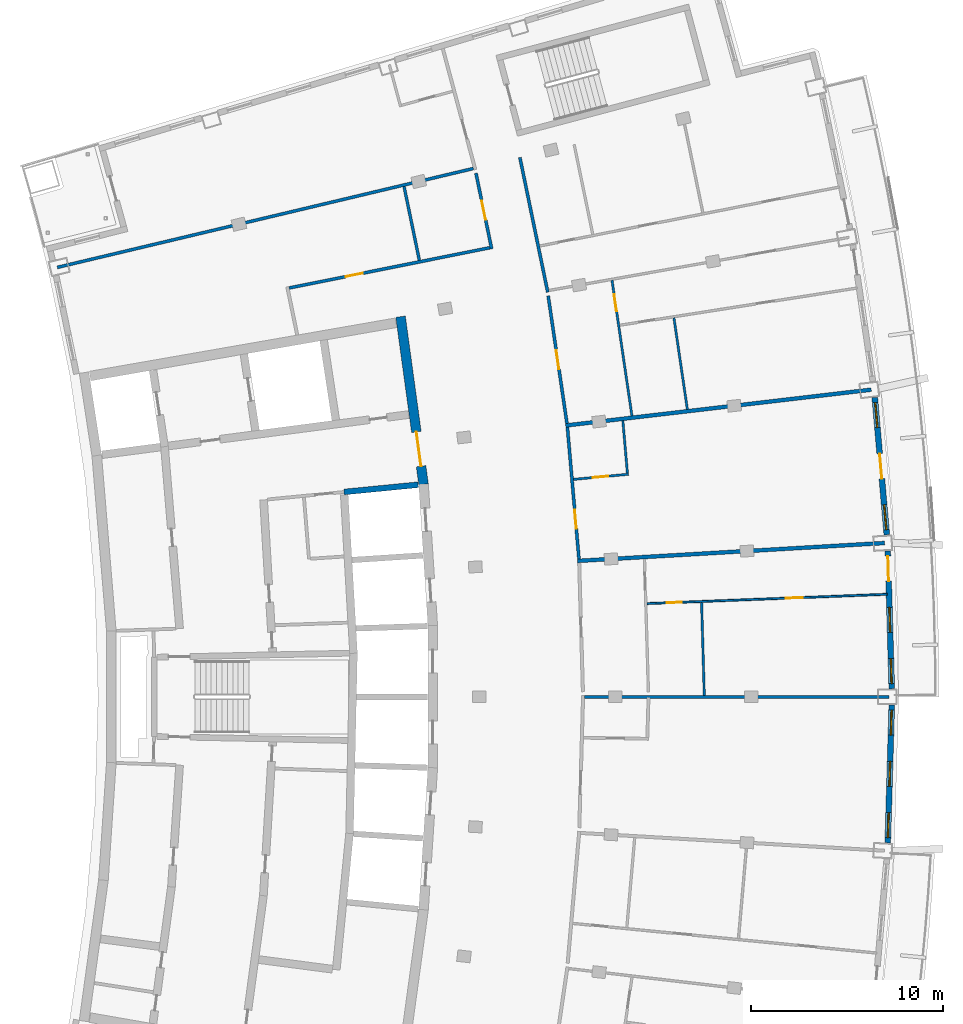
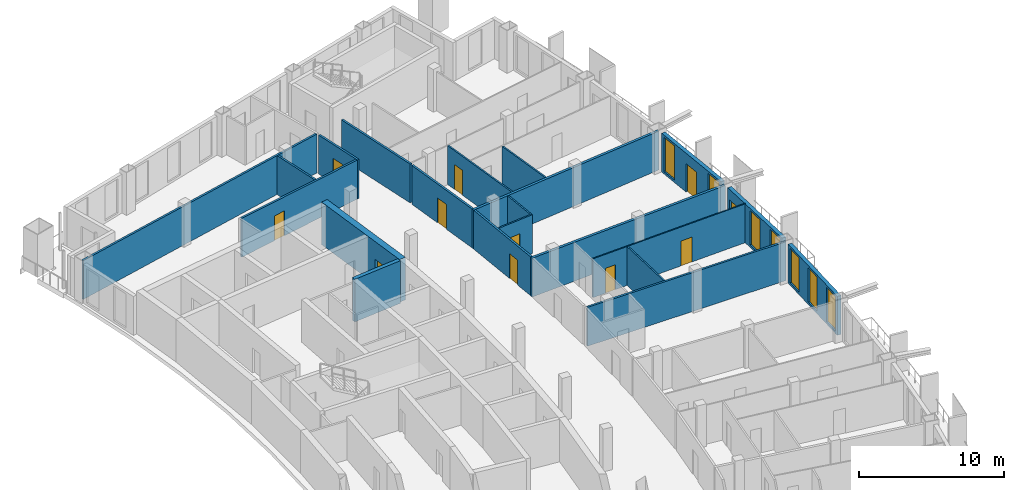
# One storey, part 11 of 15: 21 walls, 11 doors, 7 windows, 18 openings.
"""IFC4 building model written with IfcOpenShell, lengths in metres."""

from ifc_helpers import new_model, si_unit, direction, frame, frame_2d, origin, place, context, subcontext, project, spatial, rectangle, extrude, material, layer, layer_set, type_object, element, fill, save


model = new_model("IFC4")

# Units and contexts
model_context = context("Model", 3, precision=1e-05, world=origin(), true_north=direction((0.0, 1.0)))
body_context = subcontext(model_context, "Body", "Model", "MODEL_VIEW")
ifc_project = project(units=[si_unit("LENGTHUNIT", "METRE"), si_unit("AREAUNIT", "SQUARE_METRE"), si_unit("VOLUMEUNIT", "CUBIC_METRE"), si_unit("PLANEANGLEUNIT", "RADIAN"), si_unit("MASSUNIT", "GRAM", prefix="KILO")], contexts=[model_context])

# Site, building, storey
site_placement = place(None, origin())
site = spatial("IfcSite", under=ifc_project, at=site_placement, CompositionType="ELEMENT")
building_placement = place(site_placement, origin())
building = spatial("IfcBuilding", under=site, at=building_placement, Name="Alderwake Tower", CompositionType="ELEMENT")
storey_placement = place(building_placement, frame((0.0, 0.0, 249.199951171875)))
storey = spatial("IfcBuildingStorey", under=building, at=storey_placement, Name="L61", CompositionType="ELEMENT", Elevation=249.199951171875)

# Wall, opening, door
ifc_material_1 = material(Name="Concrete C70/85", Category="concrete")
ifc_layer_1 = layer(ifc_material_1, 0.5)
ifc_layer_set_1 = layer_set([ifc_layer_1], Name="Core wall outer 500 C70-85")
wall_type_1 = type_object("IfcWallType", Name="Core wall outer 500 C70-85", PredefinedType="SHEAR", material=ifc_layer_set_1)
wall_1_placement = place(storey_placement, frame((31.71728515625, 80.752685546875, 0.0), z_axis=(0.0, 0.0, 1.0), x_axis=(0.1358539401, -0.990728876615, 0.0)))
wall_1 = element("IfcWall", 1, at=wall_1_placement, inside=storey, type_object=wall_type_1, Name="Core wall CW.019", PredefinedType="SHEAR", context=body_context, shape_type="SweptSolid", body=[
    extrude(rectangle(XDim=8.794921875, YDim=0.5, at=frame_2d((4.3974609375, 0.0))), origin(), (0.0, 0.0, 1.0), 3.60009765625),
])
opening_1_placement = place(wall_1_placement, frame((6.0419921875, 0.0, 0.0)))
opening_1 = element("IfcOpeningElement", 2, at=opening_1_placement, cuts=wall_1, Name="Opening C001", PredefinedType="OPENING", context=body_context, shape_type="SweptSolid", body=[
    extrude(rectangle(XDim=1.800048828125, YDim=2.10009765625, at=frame_2d((0.89990234375, 1.050048828125))), frame((0.0, 0.260009765625, 0.0), z_axis=(0.0, -1.0, 0.0), x_axis=(1.0, 0.0, 0.0)), (0.0, 0.0, 1.0), 0.52001953125),
])
ifc_material_2 = material(Name="Steel-framed fire door leaves", Category="steel")
door_type_1 = type_object("IfcDoorType", Name="Core double door 1800 fire-rated", OperationType="DOUBLE_DOOR_SINGLE_SWING", PredefinedType="DOOR", material=ifc_material_2)
door_1_placement = place(opening_1_placement, origin())
door_1 = element("IfcDoor", 3, at=door_1_placement, inside=storey, type_object=door_type_1, Name="Lobby double door", OperationType="DOUBLE_DOOR_SINGLE_SWING", OverallHeight=2.10009765625, OverallWidth=1.800048828125, PredefinedType="DOOR", context=body_context, shape_type="SweptSolid", body=[
    extrude(rectangle(XDim=1.800048828125, YDim=2.10009765625, at=frame_2d((0.89990234375, 1.050048828125))), frame((0.0, 0.02490234375, 0.0), z_axis=(0.0, -1.0, 0.0), x_axis=(1.0, 0.0, 0.0)), (0.0, 0.0, 1.0), 0.050048828125),
])
fill(opening_1, door_1)

# Walls
ifc_material_3 = material(Name="Concrete C70/85", Category="concrete")
ifc_layer_2 = layer(ifc_material_3, 0.300048828125)
ifc_layer_set_2 = layer_set([ifc_layer_2], Name="Core wall shaft 300 C70-85")
wall_type_2 = type_object("IfcWallType", Name="Core wall shaft 300 C70-85", PredefinedType="SHEAR", material=ifc_layer_set_2)
wall_2_placement = place(storey_placement, frame((28.780517578125, 71.644287109375, 0.0), z_axis=(0.0, 0.0, 1.0), x_axis=(0.995244248631, 0.097410910928, 0.0)))
element("IfcWall", 4, at=wall_2_placement, inside=storey, type_object=wall_type_2, Name="Core wall CW.049", PredefinedType="SHEAR", context=body_context, shape_type="SweptSolid", body=[
    extrude(rectangle(XDim=3.86962890625, YDim=0.300048828125, at=frame_2d((1.934814453125, 0.0))), origin(), (0.0, 0.0, 1.0), 3.60009765625),
])
ifc_material_4 = material(Name="Gypsum board on metal studs, rated")
ifc_layer_3 = layer(ifc_material_4, 0.159912109375)
ifc_layer_set_3 = layer_set([ifc_layer_3], Name="Corridor wall 160")
wall_type_3 = type_object("IfcWallType", Name="Corridor wall 160", PredefinedType="PARTITIONING", material=ifc_layer_set_3)
wall_3_placement = place(storey_placement, frame((35.502197265625, 88.451416015625, 0.0), z_axis=(0.0, 0.0, 1.0), x_axis=(-0.972894913244, -0.231247676278, 0.0)))
element("IfcWall", 5, at=wall_3_placement, inside=storey, type_object=wall_type_3, Name="WL/L61/W14", PredefinedType="PARTITIONING", context=body_context, shape_type="SweptSolid", body=[
    extrude(rectangle(XDim=22.220458984375, YDim=0.159912109375, at=frame_2d((11.1103515625, 0.0))), origin(), (0.0, 0.0, 1.0), 3.280029296875),
])

# Wall, opening, door
wall_4_placement = place(storey_placement, frame((36.451416015625, 84.272705078125, 0.0), z_axis=(0.0, 0.0, 1.0), x_axis=(-0.203258199701, 0.979125172924, 0.0)))
wall_4 = element("IfcWall", 6, at=wall_4_placement, inside=storey, type_object=wall_type_3, Name="WL/L61/W15", PredefinedType="PARTITIONING", context=body_context, shape_type="SweptSolid", body=[
    extrude(rectangle(XDim=4.020263671875, YDim=0.159912109375, at=frame_2d((2.01025390625, 0.0))), origin(), (0.0, 0.0, 1.0), 3.280029296875),
])
opening_2_placement = place(wall_4_placement, frame((1.549560546875, 0.0, 0.0)))
opening_2 = element("IfcOpeningElement", 7, at=opening_2_placement, cuts=wall_4, Name="Opening R17-SBN2", PredefinedType="OPENING", context=body_context, shape_type="SweptSolid", body=[
    extrude(rectangle(XDim=1.0, YDim=2.10009765625, at=frame_2d((0.5, 1.050048828125))), frame((0.0, 0.08984375, 0.0), z_axis=(0.0, -1.0, 0.0), x_axis=(1.0, 0.0, 0.0)), (0.0, 0.0, 1.0), 0.179931640625),
])
ifc_material_5 = material(Name="Steel-framed fire door leaf", Category="steel")
door_type_2 = type_object("IfcDoorType", Name="Plant room door 1000 fire-rated", OperationType="SINGLE_SWING_LEFT", PredefinedType="DOOR", material=ifc_material_5)
door_2_placement = place(opening_2_placement, origin())
door_2 = element("IfcDoor", 8, at=door_2_placement, inside=storey, type_object=door_type_2, Name="DR/L61/SBN2", OperationType="SINGLE_SWING_LEFT", OverallHeight=2.10009765625, OverallWidth=1.0, PredefinedType="DOOR", context=body_context, shape_type="SweptSolid", body=[
    extrude(rectangle(XDim=1.0, YDim=2.10009765625, at=frame_2d((0.5, 1.050048828125))), frame((0.0, 0.02490234375, 0.0), z_axis=(0.0, -1.0, 0.0), x_axis=(1.0, 0.0, 0.0)), (0.0, 0.0, 1.0), 0.050048828125),
])
fill(opening_2, door_2)

wall_5_placement = place(storey_placement, frame((25.926513671875, 82.24267578125, 0.0), z_axis=(0.0, 0.0, 1.0), x_axis=(0.98046310274, 0.196703086316, 0.0)))
wall_5 = element("IfcWall", 9, at=wall_5_placement, inside=storey, type_object=wall_type_3, Name="WL/L61/W17", PredefinedType="PARTITIONING", context=body_context, shape_type="SweptSolid", body=[
    extrude(rectangle(XDim=10.637939453125, YDim=0.159912109375, at=frame_2d((5.31884765625, 0.0))), origin(), (0.0, 0.0, 1.0), 3.280029296875),
])
opening_3_placement = place(wall_5_placement, frame((3.009033203125, 0.0, 0.0)))
opening_3 = element("IfcOpeningElement", 10, at=opening_3_placement, cuts=wall_5, Name="Opening R17-SBN1", PredefinedType="OPENING", context=body_context, shape_type="SweptSolid", body=[
    extrude(rectangle(XDim=0.89990234375, YDim=2.10009765625, at=frame_2d((0.449951171875, 1.050048828125))), frame((0.0, 0.08984375, 0.0), z_axis=(0.0, -1.0, 0.0), x_axis=(1.0, 0.0, 0.0)), (0.0, 0.0, 1.0), 0.179931640625),
])
ifc_material_6 = material(Name="Painted timber leaf", Category="wood")
door_type_3 = type_object("IfcDoorType", Name="Room door 900", OperationType="SINGLE_SWING_LEFT", PredefinedType="DOOR", material=ifc_material_6)
door_3_placement = place(opening_3_placement, origin())
door_3 = element("IfcDoor", 11, at=door_3_placement, inside=storey, type_object=door_type_3, Name="DR/L61/SBN1", OperationType="SINGLE_SWING_LEFT", OverallHeight=2.10009765625, OverallWidth=0.89990234375, PredefinedType="DOOR", context=body_context, shape_type="SweptSolid", body=[
    extrude(rectangle(XDim=0.89990234375, YDim=2.10009765625, at=frame_2d((0.449951171875, 1.050048828125))), frame((0.0, 0.02490234375, 0.0), z_axis=(0.0, -1.0, 0.0), x_axis=(1.0, 0.0, 0.0)), (0.0, 0.0, 1.0), 0.050048828125),
])
fill(opening_3, door_3)

# Wall
wall_6_placement = place(storey_placement, frame((39.3642578125, 82.022705078125, 0.0), z_axis=(0.0, 0.0, 1.0), x_axis=(-0.202409142021, 0.979301046271, 0.0)))
element("IfcWall", 12, at=wall_6_placement, inside=storey, type_object=wall_type_3, Name="WL/L61/W20", PredefinedType="PARTITIONING", context=body_context, shape_type="SweptSolid", body=[
    extrude(rectangle(XDim=7.150146484375, YDim=0.159912109375, at=frame_2d((3.5751953125, 0.0))), origin(), (0.0, 0.0, 1.0), 3.280029296875),
])

# Wall, opening, door
wall_7_placement = place(storey_placement, frame((39.38671875, 81.837158203125, 0.0), z_axis=(0.0, 0.0, 1.0), x_axis=(0.145576845789, -0.989346947218, 0.0)))
wall_7 = element("IfcWall", 13, at=wall_7_placement, inside=storey, type_object=wall_type_3, Name="WL/L61/W22", PredefinedType="PARTITIONING", context=body_context, shape_type="SweptSolid", body=[
    extrude(rectangle(XDim=6.701416015625, YDim=0.159912109375, at=frame_2d((3.3505859375, 0.0))), origin(), (0.0, 0.0, 1.0), 3.280029296875),
])
opening_4_placement = place(wall_7_placement, frame((2.850830078125, 0.0, 0.0)))
opening_4 = element("IfcOpeningElement", 14, at=opening_4_placement, cuts=wall_7, Name="Opening R17-U07.1", PredefinedType="OPENING", context=body_context, shape_type="SweptSolid", body=[
    extrude(rectangle(XDim=1.0, YDim=2.10009765625, at=frame_2d((0.5, 1.050048828125))), frame((0.0, 0.08984375, 0.0), z_axis=(0.0, -1.0, 0.0), x_axis=(1.0, 0.0, 0.0)), (0.0, 0.0, 1.0), 0.179931640625),
])
ifc_material_7 = material(Name="Solid timber leaf in steel frame", Category="steel")
door_type_4 = type_object("IfcDoorType", Name="Flat entrance door 1000 fire-rated", OperationType="SINGLE_SWING_LEFT", PredefinedType="DOOR", material=ifc_material_7)
door_4_placement = place(opening_4_placement, origin())
door_4 = element("IfcDoor", 15, at=door_4_placement, inside=storey, type_object=door_type_4, Name="DR/L61/U07.1", OperationType="SINGLE_SWING_LEFT", OverallHeight=2.10009765625, OverallWidth=1.0, PredefinedType="DOOR", context=body_context, shape_type="SweptSolid", body=[
    extrude(rectangle(XDim=1.0, YDim=2.10009765625, at=frame_2d((0.5, 1.050048828125))), frame((0.0, 0.02490234375, 0.0), z_axis=(0.0, -1.0, 0.0), x_axis=(1.0, 0.0, 0.0)), (0.0, 0.0, 1.0), 0.050048828125),
])
fill(opening_4, door_4)

wall_8_placement = place(storey_placement, frame((40.3857421875, 75.00830078125, 0.0), z_axis=(0.0, 0.0, 1.0), x_axis=(0.087448731147, -0.996169021512, 0.0)))
wall_8 = element("IfcWall", 16, at=wall_8_placement, inside=storey, type_object=wall_type_3, Name="WL/L61/W25", PredefinedType="PARTITIONING", context=body_context, shape_type="SweptSolid", body=[
    extrude(rectangle(XDim=6.867919921875, YDim=0.159912109375, at=frame_2d((3.43408203125, 0.0))), origin(), (0.0, 0.0, 1.0), 3.280029296875),
])
opening_5_placement = place(wall_8_placement, frame((4.2978515625, 0.0, 0.0)))
opening_5 = element("IfcOpeningElement", 17, at=opening_5_placement, cuts=wall_8, Name="Opening R17-U06.1", PredefinedType="OPENING", context=body_context, shape_type="SweptSolid", body=[
    extrude(rectangle(XDim=1.0, YDim=2.10009765625, at=frame_2d((0.5, 1.050048828125))), frame((0.0, 0.08984375, 0.0), z_axis=(0.0, -1.0, 0.0), x_axis=(1.0, 0.0, 0.0)), (0.0, 0.0, 1.0), 0.179931640625),
])
door_5_placement = place(opening_5_placement, origin())
door_5 = element("IfcDoor", 18, at=door_5_placement, inside=storey, type_object=door_type_4, Name="DR/L61/U06.1", OperationType="SINGLE_SWING_LEFT", OverallHeight=2.10009765625, OverallWidth=1.0, PredefinedType="DOOR", context=body_context, shape_type="SweptSolid", body=[
    extrude(rectangle(XDim=1.0, YDim=2.10009765625, at=frame_2d((0.5, 1.050048828125))), frame((0.0, 0.02490234375, 0.0), z_axis=(0.0, -1.0, 0.0), x_axis=(1.0, 0.0, 0.0)), (0.0, 0.0, 1.0), 0.050048828125),
])
fill(opening_5, door_5)

# Wall
wall_9_placement = place(storey_placement, frame((57.09912109375, 60.9990234375, 0.0), z_axis=(0.0, 0.0, 1.0), x_axis=(-1.0, 0.0, 0.0)))
element("IfcWall", 19, at=wall_9_placement, inside=storey, type_object=wall_type_3, Name="WL/L61/W27", PredefinedType="PARTITIONING", context=body_context, shape_type="SweptSolid", body=[
    extrude(rectangle(XDim=15.820068359375, YDim=0.159912109375, at=frame_2d((7.91015625, 0.0))), origin(), (0.0, 0.0, 1.0), 3.280029296875),
])

# Wall, openings, windows
ifc_material_8 = material(Name="Precast concrete C50/60 spandrel panel", Category="concrete")
ifc_layer_4 = layer(ifc_material_8, 0.300048828125)
ifc_layer_set_4 = layer_set([ifc_layer_4], Name="External wall EW1 Precast concrete C50/60 spandrel")
wall_type_4 = type_object("IfcWallType", Name="External wall EW1 Precast concrete C50/60 spandrel", PredefinedType="SOLIDWALL", material=ifc_layer_set_4)
wall_10_placement = place(storey_placement, frame((57.02880859375, 53.419921875, 0.0), z_axis=(0.0, 0.0, 1.0), x_axis=(0.029180665561, 0.999574153706, 0.0)))
wall_10 = element("IfcWall", 20, at=wall_10_placement, inside=storey, type_object=wall_type_4, Name="External wall 15", PredefinedType="SOLIDWALL", context=body_context, shape_type="SweptSolid", body=[
    extrude(rectangle(XDim=7.16162109375, YDim=0.300048828125, at=frame_2d((3.580810546875, 0.0))), origin(), (0.0, 0.0, 1.0), 3.280029296875),
])
opening_6_placement = place(wall_10_placement, frame((0.267333984375, 0.0, 0.199951171875)))
opening_6 = element("IfcOpeningElement", 21, at=opening_6_placement, cuts=wall_10, Name="Opening W1", PredefinedType="OPENING", context=body_context, shape_type="SweptSolid", body=[
    extrude(rectangle(XDim=1.300048828125, YDim=2.89990234375, at=frame_2d((0.64990234375, 1.449951171875))), frame((0.0, 0.159912109375, 0.0), z_axis=(0.0, -1.0, 0.0), x_axis=(1.0, 0.0, 0.0)), (0.0, 0.0, 1.0), 0.320068359375),
])
opening_7_placement = place(wall_10_placement, frame((2.930908203125, 0.0, 0.199951171875)))
opening_7 = element("IfcOpeningElement", 22, at=opening_7_placement, cuts=wall_10, Name="Opening W1", PredefinedType="OPENING", context=body_context, shape_type="SweptSolid", body=[
    extrude(rectangle(XDim=1.300048828125, YDim=2.89990234375, at=frame_2d((0.64990234375, 1.449951171875))), frame((0.0, 0.159912109375, 0.0), z_axis=(0.0, -1.0, 0.0), x_axis=(1.0, 0.0, 0.0)), (0.0, 0.0, 1.0), 0.320068359375),
])
opening_8_placement = place(wall_10_placement, frame((5.59423828125, 0.0, 0.199951171875)))
opening_8 = element("IfcOpeningElement", 23, at=opening_8_placement, cuts=wall_10, Name="Opening W1", PredefinedType="OPENING", context=body_context, shape_type="SweptSolid", body=[
    extrude(rectangle(XDim=1.300048828125, YDim=2.89990234375, at=frame_2d((0.64990234375, 1.449951171875))), frame((0.0, 0.159912109375, 0.0), z_axis=(0.0, -1.0, 0.0), x_axis=(1.0, 0.0, 0.0)), (0.0, 0.0, 1.0), 0.320068359375),
])
ifc_material_9 = material(Name="Bronze tinted glass in aluminium frame", Category="aluminium")
window_type = type_object("IfcWindowType", Name="Window W1 tall fixed and vent", PartitioningType="DOUBLE_PANEL_VERTICAL", PredefinedType="WINDOW", material=ifc_material_9)
window_1_placement = place(opening_6_placement, origin())
window_1 = element("IfcWindow", 24, at=window_1_placement, inside=storey, type_object=window_type, Name="Window W1 tall fixed and vent", OverallHeight=2.89990234375, OverallWidth=1.300048828125, PartitioningType="DOUBLE_PANEL_VERTICAL", PredefinedType="WINDOW", context=body_context, shape_type="SweptSolid", body=[
    extrude(rectangle(XDim=1.300048828125, YDim=2.89990234375, at=frame_2d((0.64990234375, 1.449951171875))), frame((0.0, 0.030029296875, 0.0), z_axis=(0.0, -1.0, 0.0), x_axis=(1.0, 0.0, 0.0)), (0.0, 0.0, 1.0), 0.06005859375),
])
fill(opening_6, window_1)
window_2_placement = place(opening_7_placement, origin())
window_2 = element("IfcWindow", 25, at=window_2_placement, inside=storey, type_object=window_type, Name="Window W1 tall fixed and vent", OverallHeight=2.89990234375, OverallWidth=1.300048828125, PartitioningType="DOUBLE_PANEL_VERTICAL", PredefinedType="WINDOW", context=body_context, shape_type="SweptSolid", body=[
    extrude(rectangle(XDim=1.300048828125, YDim=2.89990234375, at=frame_2d((0.64990234375, 1.449951171875))), frame((0.0, 0.030029296875, 0.0), z_axis=(0.0, -1.0, 0.0), x_axis=(1.0, 0.0, 0.0)), (0.0, 0.0, 1.0), 0.06005859375),
])
fill(opening_7, window_2)
window_3_placement = place(opening_8_placement, origin())
window_3 = element("IfcWindow", 26, at=window_3_placement, inside=storey, type_object=window_type, Name="Window W1 tall fixed and vent", OverallHeight=2.89990234375, OverallWidth=1.300048828125, PartitioningType="DOUBLE_PANEL_VERTICAL", PredefinedType="WINDOW", context=body_context, shape_type="SweptSolid", body=[
    extrude(rectangle(XDim=1.300048828125, YDim=2.89990234375, at=frame_2d((0.64990234375, 1.449951171875))), frame((0.0, 0.030029296875, 0.0), z_axis=(0.0, -1.0, 0.0), x_axis=(1.0, 0.0, 0.0)), (0.0, 0.0, 1.0), 0.06005859375),
])
fill(opening_8, window_3)

# Wall, openings, door, windows
wall_11_placement = place(storey_placement, frame((57.23779296875, 61.42138671875, 0.0), z_axis=(0.0, 0.0, 1.0), x_axis=(-0.029180665561, 0.999574153706, 0.0)))
wall_11 = element("IfcWall", 27, at=wall_11_placement, inside=storey, type_object=wall_type_4, Name="External wall 16", PredefinedType="SOLIDWALL", context=body_context, shape_type="SweptSolid", body=[
    extrude(rectangle(XDim=7.16162109375, YDim=0.300048828125, at=frame_2d((3.580810546875, 0.0))), origin(), (0.0, 0.0, 1.0), 3.280029296875),
])
opening_9_placement = place(wall_11_placement, frame((0.267333984375, 0.0, 0.199951171875)))
opening_9 = element("IfcOpeningElement", 28, at=opening_9_placement, cuts=wall_11, Name="Opening W1", PredefinedType="OPENING", context=body_context, shape_type="SweptSolid", body=[
    extrude(rectangle(XDim=1.300048828125, YDim=2.89990234375, at=frame_2d((0.64990234375, 1.449951171875))), frame((0.0, 0.159912109375, 0.0), z_axis=(0.0, -1.0, 0.0), x_axis=(1.0, 0.0, 0.0)), (0.0, 0.0, 1.0), 0.320068359375),
])
opening_10_placement = place(wall_11_placement, frame((2.930908203125, 0.0, 0.199951171875)))
opening_10 = element("IfcOpeningElement", 29, at=opening_10_placement, cuts=wall_11, Name="Opening W1", PredefinedType="OPENING", context=body_context, shape_type="SweptSolid", body=[
    extrude(rectangle(XDim=1.300048828125, YDim=2.89990234375, at=frame_2d((0.64990234375, 1.449951171875))), frame((0.0, 0.159912109375, 0.0), z_axis=(0.0, -1.0, 0.0), x_axis=(1.0, 0.0, 0.0)), (0.0, 0.0, 1.0), 0.320068359375),
])
opening_11_placement = place(wall_11_placement, frame((5.59423828125, 0.0, 0.0)))
opening_11 = element("IfcOpeningElement", 30, at=opening_11_placement, cuts=wall_11, Name="Opening D05", PredefinedType="OPENING", context=body_context, shape_type="SweptSolid", body=[
    extrude(rectangle(XDim=1.300048828125, YDim=2.39990234375, at=frame_2d((0.64990234375, 1.199951171875))), frame((0.0, 0.159912109375, 0.0), z_axis=(0.0, -1.0, 0.0), x_axis=(1.0, 0.0, 0.0)), (0.0, 0.0, 1.0), 0.320068359375),
])
ifc_material_10 = material(Name="Bronze tinted glass in aluminium frame", Category="aluminium")
door_type_5 = type_object("IfcDoorType", Name="Balcony door BD sliding", OperationType="SLIDING_TO_LEFT", PredefinedType="DOOR", material=ifc_material_10)
door_6_placement = place(opening_11_placement, origin())
door_6 = element("IfcDoor", 31, at=door_6_placement, inside=storey, type_object=door_type_5, Name="Door D05", OperationType="SLIDING_TO_LEFT", OverallHeight=2.39990234375, OverallWidth=1.300048828125, PredefinedType="DOOR", context=body_context, shape_type="SweptSolid", body=[
    extrude(rectangle(XDim=1.300048828125, YDim=2.39990234375, at=frame_2d((0.64990234375, 1.199951171875))), frame((0.0, 0.02490234375, 0.0), z_axis=(0.0, -1.0, 0.0), x_axis=(1.0, 0.0, 0.0)), (0.0, 0.0, 1.0), 0.050048828125),
])
fill(opening_11, door_6)
window_4_placement = place(opening_9_placement, origin())
window_4 = element("IfcWindow", 32, at=window_4_placement, inside=storey, type_object=window_type, Name="Window W1 tall fixed and vent", OverallHeight=2.89990234375, OverallWidth=1.300048828125, PartitioningType="DOUBLE_PANEL_VERTICAL", PredefinedType="WINDOW", context=body_context, shape_type="SweptSolid", body=[
    extrude(rectangle(XDim=1.300048828125, YDim=2.89990234375, at=frame_2d((0.64990234375, 1.449951171875))), frame((0.0, 0.030029296875, 0.0), z_axis=(0.0, -1.0, 0.0), x_axis=(1.0, 0.0, 0.0)), (0.0, 0.0, 1.0), 0.06005859375),
])
fill(opening_9, window_4)
window_5_placement = place(opening_10_placement, origin())
window_5 = element("IfcWindow", 33, at=window_5_placement, inside=storey, type_object=window_type, Name="Window W1 tall fixed and vent", OverallHeight=2.89990234375, OverallWidth=1.300048828125, PartitioningType="DOUBLE_PANEL_VERTICAL", PredefinedType="WINDOW", context=body_context, shape_type="SweptSolid", body=[
    extrude(rectangle(XDim=1.300048828125, YDim=2.89990234375, at=frame_2d((0.64990234375, 1.449951171875))), frame((0.0, 0.030029296875, 0.0), z_axis=(0.0, -1.0, 0.0), x_axis=(1.0, 0.0, 0.0)), (0.0, 0.0, 1.0), 0.06005859375),
])
fill(opening_10, window_5)

wall_12_placement = place(storey_placement, frame((56.979736328125, 69.421875, 0.0), z_axis=(0.0, 0.0, 1.0), x_axis=(-0.087406300702, 0.99617274536, 0.0)))
wall_12 = element("IfcWall", 34, at=wall_12_placement, inside=storey, type_object=wall_type_4, Name="External wall 17", PredefinedType="SOLIDWALL", context=body_context, shape_type="SweptSolid", body=[
    extrude(rectangle(XDim=7.16162109375, YDim=0.300048828125, at=frame_2d((3.580810546875, 0.0))), origin(), (0.0, 0.0, 1.0), 3.280029296875),
])
opening_12_placement = place(wall_12_placement, frame((0.267333984375, 0.0, 0.199951171875)))
opening_12 = element("IfcOpeningElement", 35, at=opening_12_placement, cuts=wall_12, Name="Opening W1", PredefinedType="OPENING", context=body_context, shape_type="SweptSolid", body=[
    extrude(rectangle(XDim=1.300048828125, YDim=2.89990234375, at=frame_2d((0.64990234375, 1.449951171875))), frame((0.0, 0.159912109375, 0.0), z_axis=(0.0, -1.0, 0.0), x_axis=(1.0, 0.0, 0.0)), (0.0, 0.0, 1.0), 0.320068359375),
])
opening_13_placement = place(wall_12_placement, frame((2.930908203125, 0.0, 0.0)))
opening_13 = element("IfcOpeningElement", 36, at=opening_13_placement, cuts=wall_12, Name="Opening D06", PredefinedType="OPENING", context=body_context, shape_type="SweptSolid", body=[
    extrude(rectangle(XDim=1.300048828125, YDim=2.39990234375, at=frame_2d((0.64990234375, 1.199951171875))), frame((0.0, 0.159912109375, 0.0), z_axis=(0.0, -1.0, 0.0), x_axis=(1.0, 0.0, 0.0)), (0.0, 0.0, 1.0), 0.320068359375),
])
opening_14_placement = place(wall_12_placement, frame((5.594482421875, 0.0, 0.199951171875)))
opening_14 = element("IfcOpeningElement", 37, at=opening_14_placement, cuts=wall_12, Name="Opening W1", PredefinedType="OPENING", context=body_context, shape_type="SweptSolid", body=[
    extrude(rectangle(XDim=1.300048828125, YDim=2.89990234375, at=frame_2d((0.64990234375, 1.449951171875))), frame((0.0, 0.159912109375, 0.0), z_axis=(0.0, -1.0, 0.0), x_axis=(1.0, 0.0, 0.0)), (0.0, 0.0, 1.0), 0.320068359375),
])
door_7_placement = place(opening_13_placement, origin())
door_7 = element("IfcDoor", 38, at=door_7_placement, inside=storey, type_object=door_type_5, Name="Door D06", OperationType="SLIDING_TO_LEFT", OverallHeight=2.39990234375, OverallWidth=1.300048828125, PredefinedType="DOOR", context=body_context, shape_type="SweptSolid", body=[
    extrude(rectangle(XDim=1.300048828125, YDim=2.39990234375, at=frame_2d((0.64990234375, 1.199951171875))), frame((0.0, 0.02490234375, 0.0), z_axis=(0.0, -1.0, 0.0), x_axis=(1.0, 0.0, 0.0)), (0.0, 0.0, 1.0), 0.050048828125),
])
fill(opening_13, door_7)
window_6_placement = place(opening_12_placement, origin())
window_6 = element("IfcWindow", 39, at=window_6_placement, inside=storey, type_object=window_type, Name="Window W1 tall fixed and vent", OverallHeight=2.89990234375, OverallWidth=1.300048828125, PartitioningType="DOUBLE_PANEL_VERTICAL", PredefinedType="WINDOW", context=body_context, shape_type="SweptSolid", body=[
    extrude(rectangle(XDim=1.300048828125, YDim=2.89990234375, at=frame_2d((0.64990234375, 1.449951171875))), frame((0.0, 0.030029296875, 0.0), z_axis=(0.0, -1.0, 0.0), x_axis=(1.0, 0.0, 0.0)), (0.0, 0.0, 1.0), 0.06005859375),
])
fill(opening_12, window_6)
window_7_placement = place(opening_14_placement, origin())
window_7 = element("IfcWindow", 40, at=window_7_placement, inside=storey, type_object=window_type, Name="Window W1 tall fixed and vent", OverallHeight=2.89990234375, OverallWidth=1.300048828125, PartitioningType="DOUBLE_PANEL_VERTICAL", PredefinedType="WINDOW", context=body_context, shape_type="SweptSolid", body=[
    extrude(rectangle(XDim=1.300048828125, YDim=2.89990234375, at=frame_2d((0.64990234375, 1.449951171875))), frame((0.0, 0.030029296875, 0.0), z_axis=(0.0, -1.0, 0.0), x_axis=(1.0, 0.0, 0.0)), (0.0, 0.0, 1.0), 0.06005859375),
])
fill(opening_14, window_7)

# Walls
ifc_material_11 = material(Name="Dense block masonry wall", Category="masonry")
ifc_layer_5 = layer(ifc_material_11, 0.199951171875)
ifc_layer_set_5 = layer_set([ifc_layer_5], Name="Party wall 200")
wall_type_5 = type_object("IfcWallType", Name="Party wall 200", PredefinedType="SOLIDWALL", material=ifc_layer_set_5)
for number, where, z_axis, x_axis, name in (
    (41, (40.297607421875, 75.0986328125, 0.0), (0.0, 0.0, 1.0), (0.993200362616, 0.11641752316, 0.0), "WL/L61/W01"),
    (42, (56.867919921875, 68.993896484375, 0.0), (0.0, 0.0, 1.0), (-0.998299097352, -0.058300190617, 0.0), "WL/L61/W03"),
):
    element("IfcWall", number, at=place(storey_placement, frame(where, z_axis=z_axis, x_axis=x_axis)), inside=storey, type_object=wall_type_5, Name=name, PredefinedType="SOLIDWALL", context=body_context, shape_type="SweptSolid", body=[
        extrude(rectangle(XDim=15.97998046875, YDim=0.199951171875, at=frame_2d((7.989990234375, 0.0))), origin(), (0.0, 0.0, 1.0), 3.280029296875),
    ])
ifc_material_12 = material(Name="Gypsum shaft wall system, rated")
ifc_layer_6 = layer(ifc_material_12, 0.14990234375)
ifc_layer_set_6 = layer_set([ifc_layer_6], Name="Riser and shaft wall 150")
wall_type_6 = type_object("IfcWallType", Name="Riser and shaft wall 150", PredefinedType="PARTITIONING", material=ifc_layer_set_6)
wall_13_placement = place(storey_placement, frame((32.69287109375, 83.682373046875, 0.0), z_axis=(0.0, 0.0, 1.0), x_axis=(-0.20266545775, 0.979248034073, 0.0)))
element("IfcWall", 43, at=wall_13_placement, inside=storey, type_object=wall_type_6, Name="WL/L61/W05", PredefinedType="PARTITIONING", context=body_context, shape_type="SweptSolid", body=[
    extrude(rectangle(XDim=3.911376953125, YDim=0.14990234375, at=frame_2d((1.95556640625, 0.0))), origin(), (0.0, 0.0, 1.0), 3.280029296875),
])

# Wall, openings, doors
ifc_material_13 = material(Name="Gypsum board on metal studs")
ifc_layer_7 = layer(ifc_material_13, 0.10009765625)
ifc_layer_set_7 = layer_set([ifc_layer_7], Name="Unit partition 100")
wall_type_7 = type_object("IfcWallType", Name="Unit partition 100", PredefinedType="PARTITIONING", material=ifc_layer_set_7)
wall_14_placement = place(storey_placement, frame((56.993896484375, 66.330078125, 0.0), z_axis=(0.0, 0.0, 1.0), x_axis=(-0.999248438224, -0.038762852143, 0.0)))
wall_14 = element("IfcWall", 44, at=wall_14_placement, inside=storey, type_object=wall_type_7, Name="WL/L61/W51", PredefinedType="PARTITIONING", context=body_context, shape_type="SweptSolid", body=[
    extrude(rectangle(XDim=12.483154296875, YDim=0.10009765625, at=frame_2d((6.24169921875, 0.0))), origin(), (0.0, 0.0, 1.0), 3.280029296875),
])
opening_15_placement = place(wall_14_placement, frame((10.66455078125, 0.0, 0.0)))
opening_15 = element("IfcOpeningElement", 45, at=opening_15_placement, cuts=wall_14, Name="Opening R17-U05.3", PredefinedType="OPENING", context=body_context, shape_type="SweptSolid", body=[
    extrude(rectangle(XDim=0.800048828125, YDim=2.10009765625, at=frame_2d((0.39990234375, 1.050048828125))), frame((0.0, 0.06005859375, 0.0), z_axis=(0.0, -1.0, 0.0), x_axis=(1.0, 0.0, 0.0)), (0.0, 0.0, 1.0), 0.1201171875),
])
opening_16_placement = place(wall_14_placement, frame((4.373291015625, 0.0, 0.0)))
opening_16 = element("IfcOpeningElement", 46, at=opening_16_placement, cuts=wall_14, Name="Opening R17-U05.4", PredefinedType="OPENING", context=body_context, shape_type="SweptSolid", body=[
    extrude(rectangle(XDim=0.89990234375, YDim=2.10009765625, at=frame_2d((0.449951171875, 1.050048828125))), frame((0.0, 0.06005859375, 0.0), z_axis=(0.0, -1.0, 0.0), x_axis=(1.0, 0.0, 0.0)), (0.0, 0.0, 1.0), 0.1201171875),
])
ifc_material_14 = material(Name="Painted timber leaf", Category="wood")
door_type_6 = type_object("IfcDoorType", Name="Bathroom door 800", OperationType="SINGLE_SWING_LEFT", PredefinedType="DOOR", material=ifc_material_14)
door_8_placement = place(opening_15_placement, origin())
door_8 = element("IfcDoor", 47, at=door_8_placement, inside=storey, type_object=door_type_6, Name="DR/L61/U05.3", OperationType="SINGLE_SWING_LEFT", OverallHeight=2.10009765625, OverallWidth=0.800048828125, PredefinedType="DOOR", context=body_context, shape_type="SweptSolid", body=[
    extrude(rectangle(XDim=0.800048828125, YDim=2.10009765625, at=frame_2d((0.39990234375, 1.050048828125))), frame((0.0, 0.02490234375, 0.0), z_axis=(0.0, -1.0, 0.0), x_axis=(1.0, 0.0, 0.0)), (0.0, 0.0, 1.0), 0.050048828125),
])
fill(opening_15, door_8)
door_9_placement = place(opening_16_placement, origin())
door_9 = element("IfcDoor", 48, at=door_9_placement, inside=storey, type_object=door_type_3, Name="DR/L61/U05.4", OperationType="SINGLE_SWING_LEFT", OverallHeight=2.10009765625, OverallWidth=0.89990234375, PredefinedType="DOOR", context=body_context, shape_type="SweptSolid", body=[
    extrude(rectangle(XDim=0.89990234375, YDim=2.10009765625, at=frame_2d((0.449951171875, 1.050048828125))), frame((0.0, 0.02490234375, 0.0), z_axis=(0.0, -1.0, 0.0), x_axis=(1.0, 0.0, 0.0)), (0.0, 0.0, 1.0), 0.050048828125),
])
fill(opening_16, door_9)

# Wall, opening, door
ifc_material_15 = material(Name="Moisture resistant gypsum board on metal studs")
ifc_layer_8 = layer(ifc_material_15, 0.1201171875)
ifc_layer_set_8 = layer_set([ifc_layer_8], Name="Wet room partition 120")
wall_type_8 = type_object("IfcWallType", Name="Wet room partition 120", PredefinedType="PARTITIONING", material=ifc_layer_set_8)
wall_15_placement = place(storey_placement, frame((40.70263671875, 72.298583984375, 0.0), z_axis=(0.0, 0.0, 1.0), x_axis=(0.995654155173, 0.093127886735, 0.0)))
wall_15 = element("IfcWall", 49, at=wall_15_placement, inside=storey, type_object=wall_type_8, Name="WL/L61/W32", PredefinedType="PARTITIONING", context=body_context, shape_type="SweptSolid", body=[
    extrude(rectangle(XDim=2.87841796875, YDim=0.1201171875, at=frame_2d((1.439208984375, 0.0))), origin(), (0.0, 0.0, 1.0), 3.280029296875),
])
opening_17_placement = place(wall_15_placement, frame((1.009521484375, 0.0, 0.0)))
opening_17 = element("IfcOpeningElement", 50, at=opening_17_placement, cuts=wall_15, Name="Opening R17-U06.2", PredefinedType="OPENING", context=body_context, shape_type="SweptSolid", body=[
    extrude(rectangle(XDim=0.800048828125, YDim=2.10009765625, at=frame_2d((0.39990234375, 1.050048828125))), frame((0.0, 0.070068359375, 0.0), z_axis=(0.0, -1.0, 0.0), x_axis=(1.0, 0.0, 0.0)), (0.0, 0.0, 1.0), 0.14013671875),
])
door_10_placement = place(opening_17_placement, origin())
door_10 = element("IfcDoor", 51, at=door_10_placement, inside=storey, type_object=door_type_6, Name="DR/L61/U06.2", OperationType="SINGLE_SWING_LEFT", OverallHeight=2.10009765625, OverallWidth=0.800048828125, PredefinedType="DOOR", context=body_context, shape_type="SweptSolid", body=[
    extrude(rectangle(XDim=0.800048828125, YDim=2.10009765625, at=frame_2d((0.39990234375, 1.050048828125))), frame((0.0, 0.02490234375, 0.0), z_axis=(0.0, -1.0, 0.0), x_axis=(1.0, 0.0, 0.0)), (0.0, 0.0, 1.0), 0.050048828125),
])
fill(opening_17, door_10)

wall_16_placement = place(storey_placement, frame((42.703369140625, 82.6455078125, 0.0), z_axis=(0.0, 0.0, 1.0), x_axis=(0.145290574876, -0.989389028063, 0.0)))
wall_16 = element("IfcWall", 52, at=wall_16_placement, inside=storey, type_object=wall_type_8, Name="WL/L61/W36", PredefinedType="PARTITIONING", context=body_context, shape_type="SweptSolid", body=[
    extrude(rectangle(XDim=7.117919921875, YDim=0.1201171875, at=frame_2d((3.55908203125, 0.0))), origin(), (0.0, 0.0, 1.0), 3.280029296875),
])
opening_18_placement = place(wall_16_placement, frame((0.73681640625, 0.0, 0.0)))
opening_18 = element("IfcOpeningElement", 53, at=opening_18_placement, cuts=wall_16, Name="Opening R17-U07.2", PredefinedType="OPENING", context=body_context, shape_type="SweptSolid", body=[
    extrude(rectangle(XDim=0.89990234375, YDim=2.10009765625, at=frame_2d((0.449951171875, 1.050048828125))), frame((0.0, 0.070068359375, 0.0), z_axis=(0.0, -1.0, 0.0), x_axis=(1.0, 0.0, 0.0)), (0.0, 0.0, 1.0), 0.14013671875),
])
door_11_placement = place(opening_18_placement, origin())
door_11 = element("IfcDoor", 54, at=door_11_placement, inside=storey, type_object=door_type_3, Name="DR/L61/U07.2", OperationType="SINGLE_SWING_LEFT", OverallHeight=2.10009765625, OverallWidth=0.89990234375, PredefinedType="DOOR", context=body_context, shape_type="SweptSolid", body=[
    extrude(rectangle(XDim=0.89990234375, YDim=2.10009765625, at=frame_2d((0.449951171875, 1.050048828125))), frame((0.0, 0.02490234375, 0.0), z_axis=(0.0, -1.0, 0.0), x_axis=(1.0, 0.0, 0.0)), (0.0, 0.0, 1.0), 0.050048828125),
])
fill(opening_18, door_11)

# Walls
wall_17_placement = place(storey_placement, frame((43.50390625, 72.620849609375, 0.0), z_axis=(0.0, 0.0, 1.0), x_axis=(-0.087060721227, 0.996203006831, 0.0)))
element("IfcWall", 55, at=wall_17_placement, inside=storey, type_object=wall_type_8, Name="WL/L61/W38", PredefinedType="PARTITIONING", context=body_context, shape_type="SweptSolid", body=[
    extrude(rectangle(XDim=2.737060546875, YDim=0.1201171875, at=frame_2d((1.36865234375, 0.0))), origin(), (0.0, 0.0, 1.0), 3.280029296875),
])
wall_18_placement = place(storey_placement, frame((46.617431640625, 75.93896484375, 0.0), z_axis=(0.0, 0.0, 1.0), x_axis=(-0.145238137818, 0.989396726962, 0.0)))
element("IfcWall", 56, at=wall_18_placement, inside=storey, type_object=wall_type_8, Name="WL/L61/W42", PredefinedType="PARTITIONING", context=body_context, shape_type="SweptSolid", body=[
    extrude(rectangle(XDim=4.8076171875, YDim=0.1201171875, at=frame_2d((2.40380859375, 0.0))), origin(), (0.0, 0.0, 1.0), 3.280029296875),
])
wall_19_placement = place(storey_placement, frame((47.49658203125, 61.0791015625, 0.0), z_axis=(0.0, 0.0, 1.0), x_axis=(-0.029026061013, 0.999578655125, 0.0)))
element("IfcWall", 57, at=wall_19_placement, inside=storey, type_object=wall_type_8, Name="WL/L61/W43", PredefinedType="PARTITIONING", context=body_context, shape_type="SweptSolid", body=[
    extrude(rectangle(XDim=4.827880859375, YDim=0.1201171875, at=frame_2d((2.4140625, 0.0))), origin(), (0.0, 0.0, 1.0), 3.280029296875),
])

save(model, "model.ifc")
